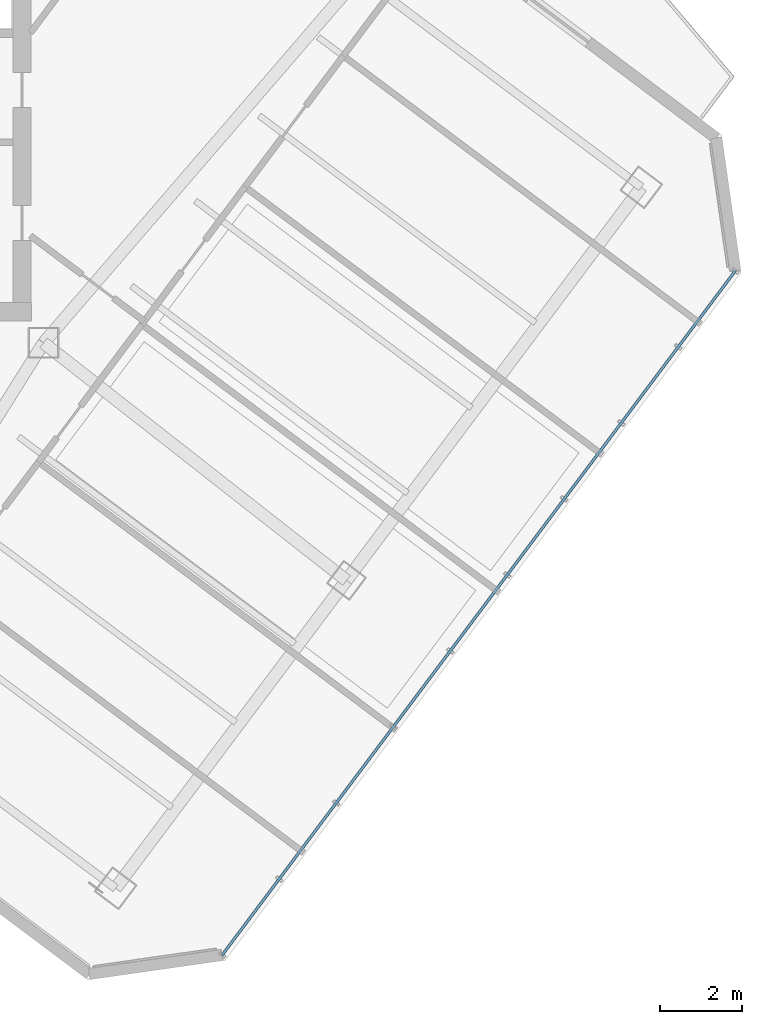
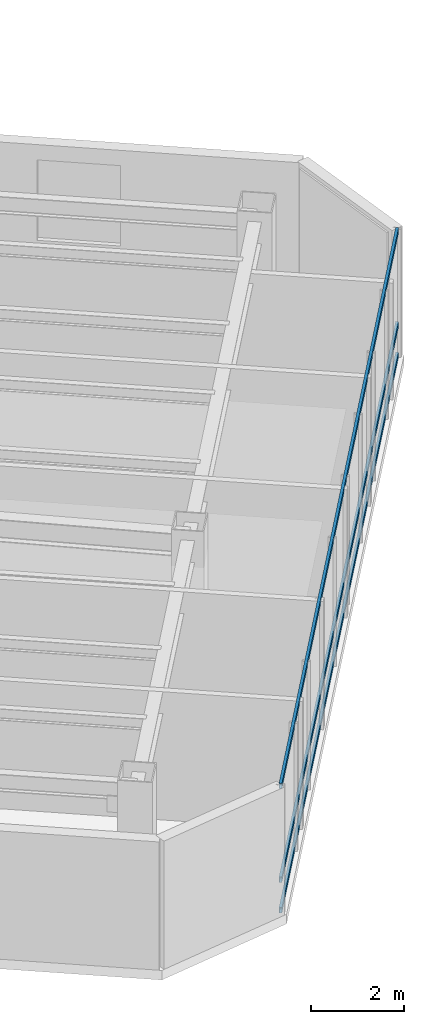
# One storey, part 12 of 26: 3 members, 1 element without a shape of its own.
"""IFC4 building model written with IfcOpenShell, lengths in metres."""

from ifc_helpers import new_model, si_unit, direction, frame, origin, origin_2d, place, context, subcontext, project, spatial, hollow_rectangle, extrude, material, layer, layer_set, material_profile, profile_set, type_object, element, aggregate, save


model = new_model("IFC4")

# Units and contexts
model_context = context("Model", 3, precision=1e-05, world=origin(), true_north=direction((0.0, 1.0)))
body_context = subcontext(model_context, "Body", "Model", "MODEL_VIEW")
ifc_project = project(units=[si_unit("LENGTHUNIT", "METRE"), si_unit("AREAUNIT", "SQUARE_METRE"), si_unit("VOLUMEUNIT", "CUBIC_METRE"), si_unit("PLANEANGLEUNIT", "RADIAN"), si_unit("MASSUNIT", "GRAM", prefix="KILO")], contexts=[model_context])

# Site, building, storey
site_placement = place(None, origin())
site = spatial("IfcSite", under=ifc_project, at=site_placement, CompositionType="ELEMENT")
building_placement = place(site_placement, origin())
building = spatial("IfcBuilding", under=site, at=building_placement, Name="Hatsunagi Terrace Concourse", CompositionType="ELEMENT")
storey_placement = place(building_placement, frame((0.0, 0.0, 209.550048828125)))
storey = spatial("IfcBuildingStorey", under=building, at=storey_placement, Name="L55", CompositionType="ELEMENT", Elevation=209.550048828125)

# Curtain wall, members
ifc_material_1 = material(Name="Anodised Aluminium Alloy 6063-T5", Category="aluminium")
ifc_layer = layer(ifc_material_1, 0.199951171875)
ifc_layer_set = layer_set([ifc_layer], Name="OfficeZone2_CW04")
curtain_wall_type = type_object("IfcCurtainWallType", Name="OfficeZone2_CW04", PredefinedType="NOTDEFINED", material=ifc_layer_set)
curtain_wall_placement = place(storey_placement, origin())
curtain_wall = element("IfcCurtainWall", 1, at=curtain_wall_placement, inside=storey, type_object=curtain_wall_type, Name="Unitised Curtain Wall CW-04 CW-L55-03", PredefinedType="NOTDEFINED")
ifc_material_2 = material(Name="Anodised Aluminium Alloy 6063-T5", Category="aluminium")
ifc_material_profile = material_profile(ifc_material_2, hollow_rectangle(XDim=0.06494140625, YDim=0.139892578125, WallThickness=0.00390625, at=origin_2d()), Name="ALU-TRN-140x65x4")
ifc_profile_set = profile_set([ifc_material_profile], Name="Anodised Aluminium Alloy 6063-T5")
member_type = type_object("IfcMemberType", Name="CurtainWallTransom_140x65", PredefinedType="USERDEFINED", material=ifc_profile_set)
member_1_placement = place(storey_placement, frame((60.693115234375, 25.9580078125, 0.050048828125), z_axis=(-0.599970072971, -0.800022444397, 0.0), x_axis=(0.800022444397, -0.599970072971, 0.0)))
member_1 = element("IfcMember", 2, at=member_1_placement, type_object=member_type, Name="Curtain Wall Transom TRN-02", ObjectType="TRANSOM", PredefinedType="USERDEFINED", context=body_context, shape_type="SweptSolid", body=[
    extrude(hollow_rectangle(XDim=0.06494140625, YDim=0.139892578125, WallThickness=0.00390625, at=origin_2d()), origin(), (0.0, 0.0, 1.0), 20.884521484375),
])
member_2_placement = place(storey_placement, frame((60.693115234375, 25.9580078125, 0.849853515625), z_axis=(-0.599970072971, -0.800022444397, 0.0), x_axis=(0.800022444397, -0.599970072971, 0.0)))
member_2 = element("IfcMember", 3, at=member_2_placement, type_object=member_type, Name="Curtain Wall Transom TRN-02", ObjectType="TRANSOM", PredefinedType="USERDEFINED", context=body_context, shape_type="SweptSolid", body=[
    extrude(hollow_rectangle(XDim=0.06494140625, YDim=0.139892578125, WallThickness=0.00390625, at=origin_2d()), origin(), (0.0, 0.0, 1.0), 20.884521484375),
])
member_3_placement = place(storey_placement, frame((60.693115234375, 25.9580078125, 3.300048828125), z_axis=(-0.599970072971, -0.800022444397, 0.0), x_axis=(0.800022444397, -0.599970072971, 0.0)))
member_3 = element("IfcMember", 4, at=member_3_placement, type_object=member_type, Name="Curtain Wall Transom TRN-02", ObjectType="TRANSOM", PredefinedType="USERDEFINED", context=body_context, shape_type="SweptSolid", body=[
    extrude(hollow_rectangle(XDim=0.06494140625, YDim=0.139892578125, WallThickness=0.00390625, at=origin_2d()), origin(), (0.0, 0.0, 1.0), 20.884521484375),
])
aggregate(curtain_wall, [member_1, member_2, member_3])

save(model, "model.ifc")
